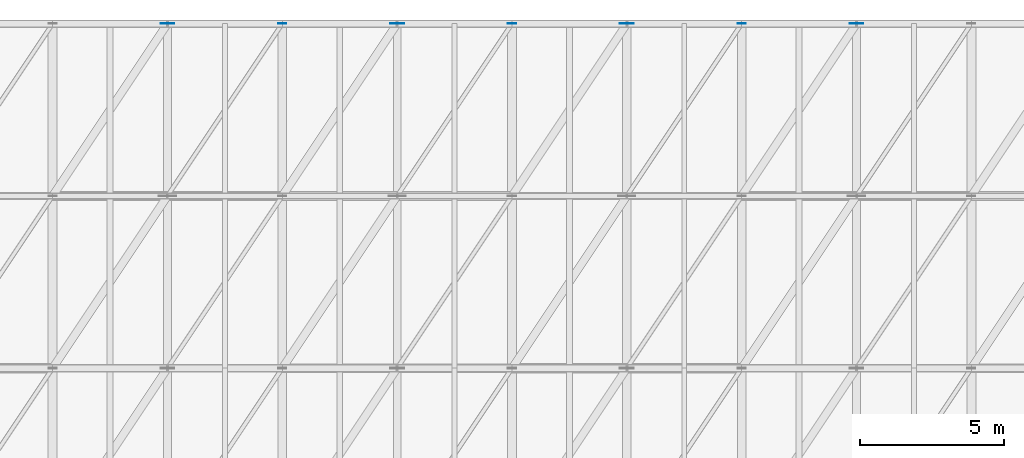
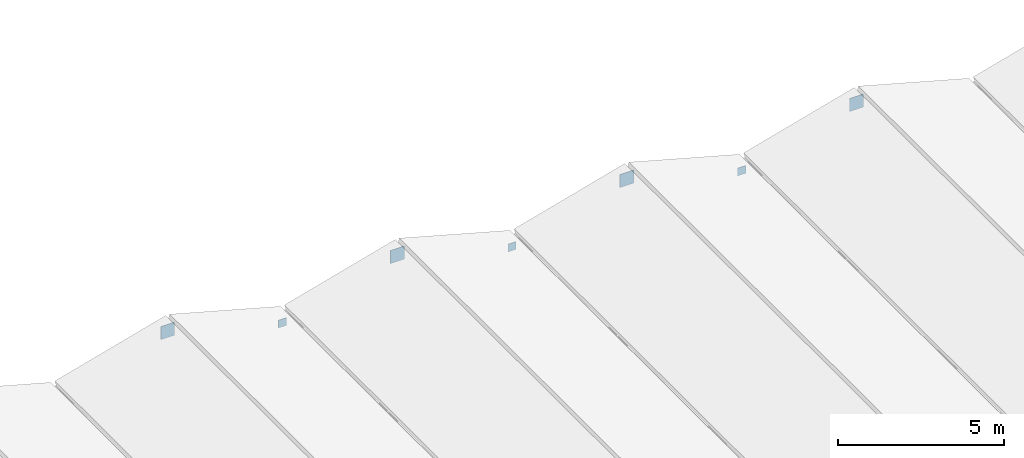
# One storey, part 25 of 27: 7 plates.
"""IFC4 building model written with IfcOpenShell, lengths in metres."""

from ifc_helpers import new_model, si_unit, direction, frame, origin, origin_2d, place, context, subcontext, project, spatial, rectangle, extrude, material, layer, layer_set, type_object, element, save


model = new_model("IFC4")

# Units and contexts
model_context = context("Model", 3, precision=1e-05, world=origin(), true_north=direction((0.0, 1.0)))
body_context = subcontext(model_context, "Body", "Model", "MODEL_VIEW")
ifc_project = project(units=[si_unit("LENGTHUNIT", "METRE"), si_unit("AREAUNIT", "SQUARE_METRE"), si_unit("VOLUMEUNIT", "CUBIC_METRE"), si_unit("PLANEANGLEUNIT", "RADIAN"), si_unit("MASSUNIT", "GRAM", prefix="KILO")], contexts=[model_context])

# Site, building, storey
site_placement = place(None, origin())
site = spatial("IfcSite", under=ifc_project, at=site_placement, CompositionType="ELEMENT")
building_placement = place(site_placement, origin())
building = spatial("IfcBuilding", under=site, at=building_placement, Name="Verrall Gate Interchange", CompositionType="ELEMENT")
storey_placement = place(building_placement, frame((0.0, 0.0, 32.800048828125)))
storey = spatial("IfcBuildingStorey", under=building, at=storey_placement, Name="RF", CompositionType="ELEMENT", Elevation=32.800048828125)

# Plates
ifc_material = material(Name="Structural Steel CSA G40.21 350WT Cat 4", Category="steel")
ifc_layer = layer(ifc_material, 0.02001953125)
ifc_layer_set = layer_set([ifc_layer], Name="Structural Steel CSA G40.21 350WT Cat 4")
plate_type = type_object("IfcPlateType", Name="GP-01 Gusset Plate 20", PredefinedType="SHEET", material=ifc_layer_set)
for number, where, z_axis, x_axis, name in (
    (1, (72.0, 48.0, -15.9482421875), (0.0, 0.0, 1.0), (1.0, 0.0, 0.0), "Folded-Plate Ridge Gusset Node KN-R5-6"),
    (2, (80.0, 48.0, -15.9482421875), (0.0, 0.0, 1.0), (1.0, 0.0, 0.0), "Folded-Plate Ridge Gusset Node KN-R6-6"),
):
    element("IfcPlate", number, at=place(storey_placement, frame(where, z_axis=z_axis, x_axis=x_axis)), inside=storey, type_object=plate_type, Name=name, PredefinedType="SHEET", context=body_context, shape_type="SweptSolid", body=[
        extrude(rectangle(XDim=0.47998046875, YDim=0.02001953125, at=origin_2d()), origin(), (0.0, 0.0, 1.0), 0.47998046875),
    ])
plate_1_placement = place(storey_placement, frame((76.0, 48.0, -16.9482421875), z_axis=(0.0, 0.0, 1.0), x_axis=(1.0, 0.0, 0.0)))
element("IfcPlate", 3, at=plate_1_placement, inside=storey, type_object=plate_type, Name="Folded-Plate Valley Gusset Node KN-V6-0-6", PredefinedType="SHEET", context=body_context, shape_type="SweptSolid", body=[
    extrude(rectangle(XDim=0.280029296875, YDim=0.02001953125, at=origin_2d()), origin(), (0.0, 0.0, 1.0), 0.280029296875),
])
plate_2_placement = place(storey_placement, frame((88.0, 48.0, -15.9482421875), z_axis=(0.0, 0.0, 1.0), x_axis=(1.0, 0.0, 0.0)))
element("IfcPlate", 4, at=plate_2_placement, inside=storey, type_object=plate_type, Name="Folded-Plate Ridge Gusset Node KN-R7-6", PredefinedType="SHEET", context=body_context, shape_type="SweptSolid", body=[
    extrude(rectangle(XDim=0.47998046875, YDim=0.02001953125, at=origin_2d()), origin(), (0.0, 0.0, 1.0), 0.47998046875),
])
plate_3_placement = place(storey_placement, frame((84.0, 48.0, -16.9482421875), z_axis=(0.0, 0.0, 1.0), x_axis=(1.0, 0.0, 0.0)))
element("IfcPlate", 5, at=plate_3_placement, inside=storey, type_object=plate_type, Name="Folded-Plate Valley Gusset Node KN-V7-0-6", PredefinedType="SHEET", context=body_context, shape_type="SweptSolid", body=[
    extrude(rectangle(XDim=0.280029296875, YDim=0.02001953125, at=origin_2d()), origin(), (0.0, 0.0, 1.0), 0.280029296875),
])
plate_4_placement = place(storey_placement, frame((96.0, 48.0, -15.9482421875), z_axis=(0.0, 0.0, 1.0), x_axis=(1.0, 0.0, 0.0)))
element("IfcPlate", 6, at=plate_4_placement, inside=storey, type_object=plate_type, Name="Folded-Plate Ridge Gusset Node KN-R8-6", PredefinedType="SHEET", context=body_context, shape_type="SweptSolid", body=[
    extrude(rectangle(XDim=0.47998046875, YDim=0.02001953125, at=origin_2d()), origin(), (0.0, 0.0, 1.0), 0.47998046875),
])
plate_5_placement = place(storey_placement, frame((92.0, 48.0, -16.9482421875), z_axis=(0.0, 0.0, 1.0), x_axis=(1.0, 0.0, 0.0)))
element("IfcPlate", 7, at=plate_5_placement, inside=storey, type_object=plate_type, Name="Folded-Plate Valley Gusset Node KN-V8-0-6", PredefinedType="SHEET", context=body_context, shape_type="SweptSolid", body=[
    extrude(rectangle(XDim=0.280029296875, YDim=0.02001953125, at=origin_2d()), origin(), (0.0, 0.0, 1.0), 0.280029296875),
])

save(model, "model.ifc")
